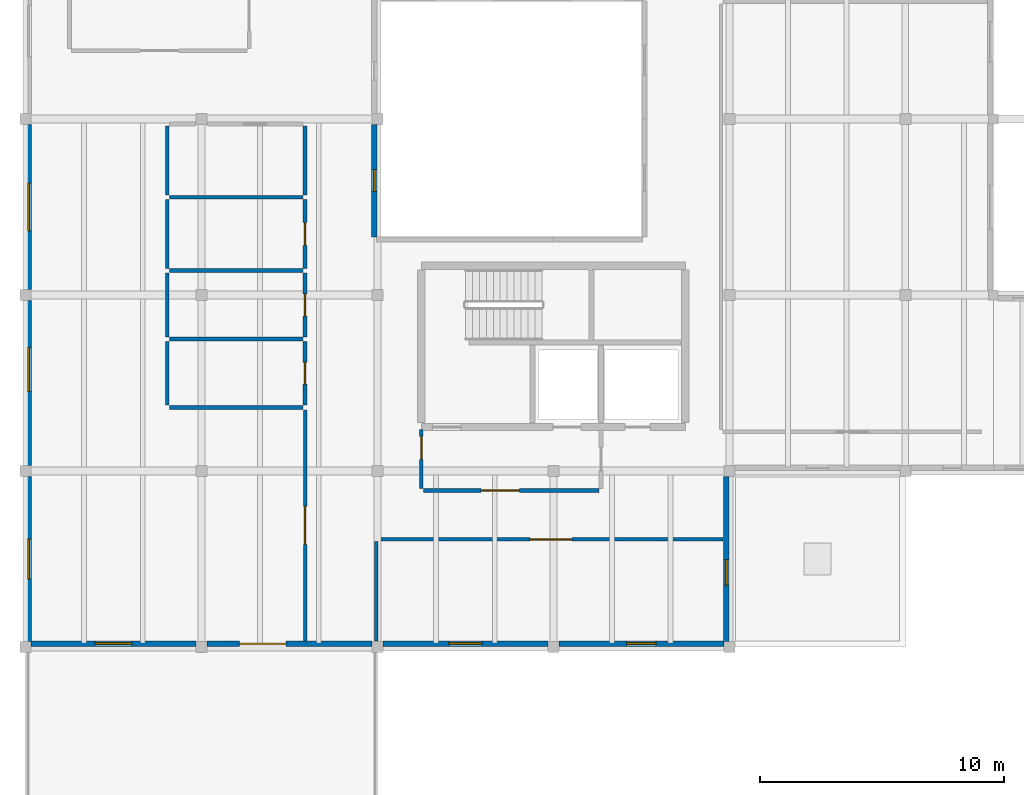
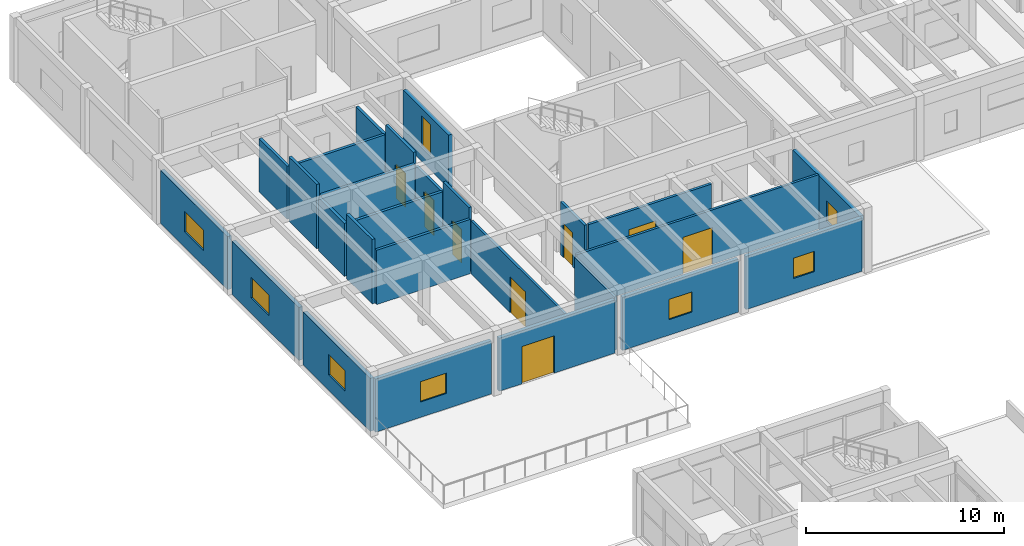
# One storey, part 56 of 68: 26 walls, 8 doors, 8 windows, 16 openings.
"""IFC4 building model written with IfcOpenShell, lengths in metres."""

import ifcopenshell
import ifcopenshell.guid

model = None  # the IFC model being written
_history = None  # IfcOwnerHistory: only IFC2X3 demands one
_inside = {}  # id of a spatial element -> (the spatial element, [elements in it])
_under = {}  # id of a project, library or spatial element -> (it, [spatial elements below it])
_declared = {}  # id of a project -> (the project, [libraries it declares])
_typed = {}  # id of a type object -> (the type object, [elements of that type])
_made_of = {}  # id of a material, layer set ... -> (it, [elements and type objects made of it])


def new_model(schema):
    """Start an empty IFC model of exactly this schema.

    Asked for "IFC4X3", IfcOpenShell would pick the latest addendum, in which some entities
    have other attributes; the version numbers below select the first issue.
    IFC2X3 requires an IfcOwnerHistory on every rooted entity: one is made here for all.
    """
    global model, _history
    if schema == "IFC4X3":
        model = ifcopenshell.file(schema_version=(4, 3, 0, 0))
    else:
        model = ifcopenshell.file(schema=schema)
    _inside.clear()
    _under.clear()
    _declared.clear()
    _typed.clear()
    _made_of.clear()
    _history = None
    if model.schema == "IFC2X3":
        org = make("IfcOrganization", Name="unknown")
        user = make(
            "IfcPersonAndOrganization",
            ThePerson=make("IfcPerson", FamilyName="unknown"),
            TheOrganization=org,
        )
        app = make(
            "IfcApplication",
            ApplicationDeveloper=org,
            Version="unknown",
            ApplicationFullName="unknown",
            ApplicationIdentifier="unknown",
        )
        _history = make(
            "IfcOwnerHistory",
            OwningUser=user,
            OwningApplication=app,
            ChangeAction="ADDED",
            CreationDate=0,
        )
    return model


def make(cls, **values):
    """One entity of the class cls with the attributes given. An attribute that is None is left unset."""
    return model.create_entity(
        cls, **{name: value for name, value in values.items() if value is not None}
    )


def rooted(cls, **values):
    """An entity with a GlobalId (a new one), such as an element, a storey or a relation."""
    return make(cls, GlobalId=ifcopenshell.guid.new(), OwnerHistory=_history, **values)


def si_unit(unit_type, name, prefix=None):
    """IfcSIUnit, for example si_unit("LENGTHUNIT", "METRE", prefix="MILLI")."""
    return make("IfcSIUnit", UnitType=unit_type, Prefix=prefix, Name=name)


def assignment(units):
    """IfcUnitAssignment: the units of a project."""
    return None if units is None else make("IfcUnitAssignment", Units=units)


def point(xyz):
    """IfcCartesianPoint."""
    return None if xyz is None else make("IfcCartesianPoint", Coordinates=xyz)


def direction(xyz):
    """IfcDirection."""
    return None if xyz is None else make("IfcDirection", DirectionRatios=xyz)


def frame(location, z_axis=None, x_axis=None):
    """IfcAxis2Placement3D, a coordinate frame: its origin and axes. An axis left out is left unset."""
    return make(
        "IfcAxis2Placement3D",
        Location=point(location),
        Axis=direction(z_axis),
        RefDirection=direction(x_axis),
    )


def frame_2d(location, x_axis=None):
    """IfcAxis2Placement2D, a coordinate frame in the plane: its origin and x axis."""
    return make(
        "IfcAxis2Placement2D", Location=point(location), RefDirection=direction(x_axis)
    )


def origin():
    """The frame at (0, 0, 0) with its axes left unset."""
    return frame((0.0, 0.0, 0.0))


def place(relative_to, where):
    """IfcLocalPlacement: puts the frame where relative to a parent placement (None: the world)."""
    return make(
        "IfcLocalPlacement", PlacementRelTo=relative_to, RelativePlacement=where
    )


def context(
    kind, dimensions, precision=None, world=None, true_north=None, identifier=None
):
    """IfcGeometricRepresentationContext, for example the 3D "Model" context."""
    return make(
        "IfcGeometricRepresentationContext",
        ContextIdentifier=identifier,
        ContextType=kind,
        CoordinateSpaceDimension=dimensions,
        Precision=precision,
        WorldCoordinateSystem=world,
        TrueNorth=true_north,
    )


def subcontext(parent, identifier, kind, view, scale=None):
    """IfcGeometricRepresentationSubContext, for example "Body" below "Model"."""
    return make(
        "IfcGeometricRepresentationSubContext",
        ContextIdentifier=identifier,
        ContextType=kind,
        ParentContext=parent,
        TargetScale=scale,
        TargetView=view,
    )


def project(units=None, contexts=None):
    """IfcProject with its units and contexts."""
    return rooted(
        "IfcProject",
        Name="project",
        RepresentationContexts=contexts,
        UnitsInContext=assignment(units),
    )


def spatial(cls, under=None, at=None, **own):
    """A site, building, storey or space (cls), placed at a placement, below another one or the project."""
    s = rooted(cls, ObjectPlacement=at, **own)
    if under is not None:
        _under.setdefault(under.id(), (under, []))[1].append(s)
    return s


def profile(cls, at=None, kind="AREA", **sizes):
    """A parametric profile (cls). Its sizes go by their IFC names, for example OverallWidth=200.0."""
    return make(cls, ProfileType=kind, Position=at, **sizes)


def rectangle(**sizes):
    """IfcRectangleProfileDef."""
    return profile("IfcRectangleProfileDef", **sizes)


def extrude(swept, where, along, depth):
    """IfcExtrudedAreaSolid: the profile swept, set in the frame where, extruded along a direction by depth."""
    return make(
        "IfcExtrudedAreaSolid",
        SweptArea=swept,
        Position=where,
        ExtrudedDirection=direction(along),
        Depth=depth,
    )


def shape(context_of_items, identifier, shape_type, items):
    """IfcShapeRepresentation: the items that make up one representation, for example the "Body"."""
    return make(
        "IfcShapeRepresentation",
        ContextOfItems=context_of_items,
        RepresentationIdentifier=identifier,
        RepresentationType=shape_type,
        Items=items,
    )


def material(Name=None, Category=None):
    """IfcMaterial."""
    return make("IfcMaterial", Name=Name, Category=Category)


def layer(
    of_material, thickness, ventilated=None, Name=None, Category=None, Priority=None
):
    """IfcMaterialLayer: one layer of a wall or slab, of a material (None: an air gap)."""
    return make(
        "IfcMaterialLayer",
        Material=of_material,
        LayerThickness=thickness,
        IsVentilated=ventilated,
        Name=Name,
        Category=Category,
        Priority=Priority,
    )


def layer_set(layers, Name=None):
    """IfcMaterialLayerSet."""
    return make("IfcMaterialLayerSet", MaterialLayers=layers, LayerSetName=Name)


def made_of(thing, what):
    """Note that an element or type object is made of a material, layer set ...; save() writes the relation."""
    if what is not None:
        _made_of.setdefault(what.id(), (what, []))[1].append(thing)
    return thing


def type_object(cls, material=None, **own):
    """A type object (cls), such as IfcWallType, which elements share."""
    return made_of(rooted(cls, **own), material)


def element(
    cls,
    number,
    at=None,
    inside=None,
    cuts=None,
    type_object=None,
    material=None,
    context=None,
    identifier="Body",
    shape_type=None,
    held_by="IfcProductDefinitionShape",
    body=None,
    shapes=None,
    **own,
):
    """One element of the class cls, such as IfcWall. Its Tag is "e" and its number.

    at: its placement. inside: the storey or other place that contains it. cuts: it is an
    opening in that element (IfcRelVoidsElement). A single representation is given by context,
    identifier, shape_type and body (its items); several are given by shapes. held_by: the class
    of the entity that holds the representations. save() writes the other relations.
    """
    e = rooted(cls, Tag="e%d" % number, ObjectPlacement=at, **own)
    if body is not None:
        shapes = [shape(context, identifier, shape_type, body)]
    if shapes is not None:
        e.Representation = make(held_by, Representations=shapes)
    if inside is not None:
        _inside.setdefault(inside.id(), (inside, []))[1].append(e)
    if cuts is not None:
        rooted(
            "IfcRelVoidsElement", RelatingBuildingElement=cuts, RelatedOpeningElement=e
        )
    if type_object is not None:
        _typed.setdefault(type_object.id(), (type_object, []))[1].append(e)
    return made_of(e, material)


def fill(opening, filler):
    """IfcRelFillsElement: the door or window that sits in an opening."""
    return rooted(
        "IfcRelFillsElement",
        RelatingOpeningElement=opening,
        RelatedBuildingElement=filler,
    )


def aggregate(whole, parts):
    """IfcRelAggregates: a whole, such as a stair, and the parts it consists of."""
    return rooted("IfcRelAggregates", RelatingObject=whole, RelatedObjects=parts)


def save(model, path):
    """Write the relations noted so far, then the file.

    IfcRelAggregates (storeys below a building ...), IfcRelContainedInSpatialStructure (elements
    in a storey), IfcRelDefinesByType, IfcRelAssociatesMaterial and IfcRelDeclares: one each for
    every whole, place, type object, material and project.
    """
    for whole, parts in _under.values():
        aggregate(whole, parts)
    for where, things in _inside.values():
        rooted(
            "IfcRelContainedInSpatialStructure",
            RelatedElements=things,
            RelatingStructure=where,
        )
    for kind, things in _typed.values():
        rooted("IfcRelDefinesByType", RelatedObjects=things, RelatingType=kind)
    for what, things in _made_of.values():
        rooted("IfcRelAssociatesMaterial", RelatedObjects=things, RelatingMaterial=what)
    for by, libraries in _declared.values():
        rooted("IfcRelDeclares", RelatingContext=by, RelatedDefinitions=libraries)
    model.write(path)


model = new_model("IFC4")

# Units and contexts
model_context = context("Model", 3, precision=1e-05, world=origin(), true_north=direction((0.0, 1.0)))
body_context = subcontext(model_context, "Body", "Model", "MODEL_VIEW")
ifc_project = project(units=[si_unit("LENGTHUNIT", "METRE"), si_unit("AREAUNIT", "SQUARE_METRE"), si_unit("VOLUMEUNIT", "CUBIC_METRE"), si_unit("PLANEANGLEUNIT", "RADIAN"), si_unit("MASSUNIT", "GRAM", prefix="KILO")], contexts=[model_context])

# Site, building, storey
site_placement = place(None, origin())
site = spatial("IfcSite", under=ifc_project, at=site_placement, CompositionType="ELEMENT")
building_placement = place(site_placement, origin())
building = spatial("IfcBuilding", under=site, at=building_placement, Name="Bramvelor Terrace Health Centre", CompositionType="ELEMENT")
storey_placement = place(building_placement, frame((0.0, 0.0, 9.300048828125)))
storey = spatial("IfcBuildingStorey", under=building, at=storey_placement, Name="L03", CompositionType="ELEMENT", Elevation=9.300048828125)

# Wall, opening, door
ifc_material_1 = material(Name="Fire-rated gypsum and mineral wool", Category="gypsum")
ifc_layer_1 = layer(ifc_material_1, 0.139892578125)
ifc_layer_set_1 = layer_set([ifc_layer_1], Name="Fire-rated gypsum and mineral wool")
wall_type_1 = type_object("IfcWallType", Name="WL-COR-140", PredefinedType="PARTITIONING", material=ifc_layer_set_1)
wall_1_placement = place(storey_placement, frame((11.43994140625, 88.89990234375, 0.0), z_axis=(0.0, 0.0, 1.0), x_axis=(0.0, -1.0, 0.0)))
wall_1 = element("IfcWall", 1, at=wall_1_placement, inside=storey, type_object=wall_type_1, Name="L03 Interior Partition 253", PredefinedType="PARTITIONING", context=body_context, shape_type="SweptSolid", body=[
    extrude(rectangle(XDim=9.449951171875, YDim=0.139892578125, at=frame_2d((4.72509765625, 0.0))), origin(), (0.0, 0.0, 1.0), 3.27001953125),
])
opening_1_placement = place(wall_1_placement, frame((3.945068359375, 0.0, 0.0)))
opening_1 = element("IfcOpeningElement", 2, at=opening_1_placement, cuts=wall_1, Name="Opening FD-03", PredefinedType="OPENING", context=body_context, shape_type="SweptSolid", body=[
    extrude(rectangle(XDim=1.56005859375, YDim=2.219970703125, at=frame_2d((0.780029296875, 1.10986328125))), frame((0.0, 0.079833984375, 0.0), z_axis=(0.0, -1.0, 0.0), x_axis=(1.0, 0.0, 0.0)), (0.0, 0.0, 1.0), 0.159912109375),
])
ifc_material_2 = material(Name="Fire-rated steel and vision panel", Category="steel")
door_type_1 = type_object("IfcDoorType", Name="DR-FD90-156", OperationType="DOUBLE_DOOR_SINGLE_SWING", PredefinedType="DOOR", material=ifc_material_2)
door_1_placement = place(opening_1_placement, origin())
door_1 = element("IfcDoor", 3, at=door_1_placement, inside=storey, type_object=door_type_1, Name="L03 Women and Maternal Health Suite Fire Door", OperationType="DOUBLE_DOOR_SINGLE_SWING", OverallHeight=2.219970703125, OverallWidth=1.56005859375, PredefinedType="DOOR", context=body_context, shape_type="SweptSolid", body=[
    extrude(rectangle(XDim=1.56005859375, YDim=2.219970703125, at=frame_2d((0.780029296875, 1.10986328125))), frame((0.0, 0.02490234375, 0.0), z_axis=(0.0, -1.0, 0.0), x_axis=(1.0, 0.0, 0.0)), (0.0, 0.0, 1.0), 0.050048828125),
])
fill(opening_1, door_1)

# Wall
wall_2_placement = place(storey_placement, frame((14.35205078125, 79.449951171875, 0.0), z_axis=(0.0, 0.0, 1.0), x_axis=(0.0, 1.0, 0.0)))
element("IfcWall", 4, at=wall_2_placement, inside=storey, type_object=wall_type_1, Name="L03 Interior Partition 254", PredefinedType="PARTITIONING", context=body_context, shape_type="SweptSolid", body=[
    extrude(rectangle(XDim=4.05810546875, YDim=0.139892578125, at=frame_2d((2.029052734375, 0.0))), origin(), (0.0, 0.0, 1.0), 3.27001953125),
])

# Wall, opening, door
wall_3_placement = place(storey_placement, frame((14.44189453125, 83.597900390625, 0.0), z_axis=(0.0, 0.0, 1.0), x_axis=(1.0, 0.0, 0.0)))
wall_3 = element("IfcWall", 5, at=wall_3_placement, inside=storey, type_object=wall_type_1, Name="L03 Interior Partition 255", PredefinedType="PARTITIONING", context=body_context, shape_type="SweptSolid", body=[
    extrude(rectangle(XDim=14.108154296875, YDim=0.139892578125, at=frame_2d((7.05419921875, 0.0))), origin(), (0.0, 0.0, 1.0), 3.349853515625),
])
opening_2_placement = place(wall_3_placement, frame((6.194091796875, 0.0, 0.0)))
opening_2 = element("IfcOpeningElement", 6, at=opening_2_placement, cuts=wall_3, Name="Opening FD-04", PredefinedType="OPENING", context=body_context, shape_type="SweptSolid", body=[
    extrude(rectangle(XDim=1.719970703125, YDim=2.260009765625, at=frame_2d((0.85986328125, 1.1298828125))), frame((0.0, 0.079833984375, 0.0), z_axis=(0.0, -1.0, 0.0), x_axis=(1.0, 0.0, 0.0)), (0.0, 0.0, 1.0), 0.159912109375),
])
ifc_material_3 = material(Name="Fire-rated steel and vision panel", Category="steel")
door_type_2 = type_object("IfcDoorType", Name="DR-FD90-172", OperationType="DOUBLE_DOOR_SINGLE_SWING", PredefinedType="DOOR", material=ifc_material_3)
door_2_placement = place(opening_2_placement, origin())
door_2 = element("IfcDoor", 7, at=door_2_placement, inside=storey, type_object=door_type_2, Name="L03 Minor Gynaecology Procedure Suite Fire Door", OperationType="DOUBLE_DOOR_SINGLE_SWING", OverallHeight=2.260009765625, OverallWidth=1.719970703125, PredefinedType="DOOR", context=body_context, shape_type="SweptSolid", body=[
    extrude(rectangle(XDim=1.719970703125, YDim=2.260009765625, at=frame_2d((0.85986328125, 1.1298828125))), frame((0.0, 0.02490234375, 0.0), z_axis=(0.0, -1.0, 0.0), x_axis=(1.0, 0.0, 0.0)), (0.0, 0.0, 1.0), 0.050048828125),
])
fill(opening_2, door_2)

# Wall, opening, window
ifc_material_4 = material(Name="Cross-laminated timber C24", Category="wood")
ifc_layer_2 = layer(ifc_material_4, 0.219970703125)
ifc_layer_set_2 = layer_set([ifc_layer_2], Name="Cross-laminated timber C24")
wall_type_2 = type_object("IfcWallType", Name="WL-EXT-CLT220", PredefinedType="SOLIDWALL", material=ifc_layer_set_2)
wall_4_placement = place(storey_placement, frame((28.669921875, 86.179931640625, 0.0), z_axis=(0.0, 0.0, 1.0), x_axis=(0.0, -1.0, 0.0)))
wall_4 = element("IfcWall", 8, at=wall_4_placement, inside=storey, type_object=wall_type_2, Name="L03 Exterior Facade Wall 66", PredefinedType="SOLIDWALL", context=body_context, shape_type="SweptSolid", body=[
    extrude(rectangle(XDim=6.760009765625, YDim=0.219970703125, at=frame_2d((3.3798828125, 0.0))), origin(), (0.0, 0.0, 1.0), 3.27001953125),
])
opening_3_placement = place(wall_4_placement, frame((3.405029296875, 0.0, 0.949951171875)))
opening_3 = element("IfcOpeningElement", 9, at=opening_3_placement, cuts=wall_4, Name="Opening WN-27", PredefinedType="OPENING", context=body_context, shape_type="SweptSolid", body=[
    extrude(rectangle(XDim=1.050048828125, YDim=1.25, at=frame_2d((0.52490234375, 0.625))), frame((0.0, 0.119873046875, 0.0), z_axis=(0.0, -1.0, 0.0), x_axis=(1.0, 0.0, 0.0)), (0.0, 0.0, 1.0), 0.239990234375),
])
ifc_material_5 = material(Name="Double low-E laminated glass", Category="glass")
window_type_1 = type_object("IfcWindowType", Name="WIN-EXT-27", PartitioningType="SINGLE_PANEL", PredefinedType="WINDOW", material=ifc_material_5)
window_1_placement = place(opening_3_placement, origin())
window_1 = element("IfcWindow", 10, at=window_1_placement, inside=storey, type_object=window_type_1, Name="L03 Scheduled Clinical Window 147", OverallHeight=1.25, OverallWidth=1.050048828125, PartitioningType="SINGLE_PANEL", PredefinedType="WINDOW", context=body_context, shape_type="SweptSolid", body=[
    extrude(rectangle(XDim=1.050048828125, YDim=1.25, at=frame_2d((0.52490234375, 0.625))), frame((0.0, 0.030029296875, 0.0), z_axis=(0.0, -1.0, 0.0), x_axis=(1.0, 0.0, 0.0)), (0.0, 0.0, 1.0), 0.06005859375),
])
fill(opening_3, window_1)

wall_5_placement = place(storey_placement, frame((28.580078125, 79.330078125, 0.0), z_axis=(0.0, 0.0, 1.0), x_axis=(-1.0, 0.0, 0.0)))
wall_5 = element("IfcWall", 11, at=wall_5_placement, inside=storey, type_object=wall_type_2, Name="L03 Exterior Facade Wall 67", PredefinedType="SOLIDWALL", context=body_context, shape_type="SweptSolid", body=[
    extrude(rectangle(XDim=6.760009765625, YDim=0.219970703125, at=frame_2d((3.3798828125, 0.0))), origin(), (0.0, 0.0, 1.0), 3.27001953125),
])
opening_4_placement = place(wall_5_placement, frame((2.780029296875, 0.0, 0.949951171875)))
opening_4 = element("IfcOpeningElement", 12, at=opening_4_placement, cuts=wall_5, Name="Opening WN-28", PredefinedType="OPENING", context=body_context, shape_type="SweptSolid", body=[
    extrude(rectangle(XDim=1.199951171875, YDim=1.25, at=frame_2d((0.60009765625, 0.625))), frame((0.0, 0.119873046875, 0.0), z_axis=(0.0, -1.0, 0.0), x_axis=(1.0, 0.0, 0.0)), (0.0, 0.0, 1.0), 0.239990234375),
])
ifc_material_6 = material(Name="Double low-E laminated glass", Category="glass")
window_type_2 = type_object("IfcWindowType", Name="WIN-EXT-28", PartitioningType="SINGLE_PANEL", PredefinedType="WINDOW", material=ifc_material_6)
window_2_placement = place(opening_4_placement, origin())
window_2 = element("IfcWindow", 13, at=window_2_placement, inside=storey, type_object=window_type_2, Name="L03 Scheduled Clinical Window 148", OverallHeight=1.25, OverallWidth=1.199951171875, PartitioningType="SINGLE_PANEL", PredefinedType="WINDOW", context=body_context, shape_type="SweptSolid", body=[
    extrude(rectangle(XDim=1.199951171875, YDim=1.25, at=frame_2d((0.60009765625, 0.625))), frame((0.0, 0.030029296875, 0.0), z_axis=(0.0, -1.0, 0.0), x_axis=(1.0, 0.0, 0.0)), (0.0, 0.0, 1.0), 0.06005859375),
])
fill(opening_4, window_2)

wall_6_placement = place(storey_placement, frame((21.3798828125, 79.330078125, 0.0), z_axis=(0.0, 0.0, 1.0), x_axis=(-1.0, 0.0, 0.0)))
wall_6 = element("IfcWall", 14, at=wall_6_placement, inside=storey, type_object=wall_type_2, Name="L03 Exterior Facade Wall 68", PredefinedType="SOLIDWALL", context=body_context, shape_type="SweptSolid", body=[
    extrude(rectangle(XDim=6.759765625, YDim=0.219970703125, at=frame_2d((3.3798828125, 0.0))), origin(), (0.0, 0.0, 1.0), 3.27001953125),
])
opening_5_placement = place(wall_6_placement, frame((2.705078125, 0.0, 0.949951171875)))
opening_5 = element("IfcOpeningElement", 15, at=opening_5_placement, cuts=wall_6, Name="Opening WN-29", PredefinedType="OPENING", context=body_context, shape_type="SweptSolid", body=[
    extrude(rectangle(XDim=1.35009765625, YDim=1.25, at=frame_2d((0.675048828125, 0.625))), frame((0.0, 0.119873046875, 0.0), z_axis=(0.0, -1.0, 0.0), x_axis=(1.0, 0.0, 0.0)), (0.0, 0.0, 1.0), 0.239990234375),
])
ifc_material_7 = material(Name="Double low-E laminated glass", Category="glass")
window_type_3 = type_object("IfcWindowType", Name="WIN-EXT-29", PartitioningType="SINGLE_PANEL", PredefinedType="WINDOW", material=ifc_material_7)
window_3_placement = place(opening_5_placement, origin())
window_3 = element("IfcWindow", 16, at=window_3_placement, inside=storey, type_object=window_type_3, Name="L03 Scheduled Clinical Window 149", OverallHeight=1.25, OverallWidth=1.35009765625, PartitioningType="SINGLE_PANEL", PredefinedType="WINDOW", context=body_context, shape_type="SweptSolid", body=[
    extrude(rectangle(XDim=1.35009765625, YDim=1.25, at=frame_2d((0.675048828125, 0.625))), frame((0.0, 0.030029296875, 0.0), z_axis=(0.0, -1.0, 0.0), x_axis=(1.0, 0.0, 0.0)), (0.0, 0.0, 1.0), 0.06005859375),
])
fill(opening_5, window_3)

# Wall, opening, door
wall_7_placement = place(storey_placement, frame((14.179931640625, 79.330078125, 0.0), z_axis=(0.0, 0.0, 1.0), x_axis=(-1.0, 0.0, 0.0)))
wall_7 = element("IfcWall", 17, at=wall_7_placement, inside=storey, type_object=wall_type_2, Name="L03 Exterior Facade Wall 69", PredefinedType="SOLIDWALL", context=body_context, shape_type="SweptSolid", body=[
    extrude(rectangle(XDim=6.760009765625, YDim=0.219970703125, at=frame_2d((3.3798828125, 0.0))), origin(), (0.0, 0.0, 1.0), 3.27001953125),
])
opening_6_placement = place(wall_7_placement, frame((3.530029296875, 0.0, 0.0)))
opening_6 = element("IfcOpeningElement", 18, at=opening_6_placement, cuts=wall_7, Name="Opening ED-08", PredefinedType="OPENING", context=body_context, shape_type="SweptSolid", body=[
    extrude(rectangle(XDim=1.89990234375, YDim=2.300048828125, at=frame_2d((0.949951171875, 1.14990234375))), frame((0.0, 0.119873046875, 0.0), z_axis=(0.0, -1.0, 0.0), x_axis=(1.0, 0.0, 0.0)), (0.0, 0.0, 1.0), 0.239990234375),
])
ifc_material_8 = material(Name="Anodized aluminium and laminated glass", Category="aluminium")
door_type_3 = type_object("IfcDoorType", Name="DR-EXT-TER-190", OperationType="DOUBLE_DOOR_SINGLE_SWING", PredefinedType="DOOR", material=ifc_material_8)
door_3_placement = place(opening_6_placement, origin())
door_3 = element("IfcDoor", 19, at=door_3_placement, inside=storey, type_object=door_type_3, Name="L03 Exterior Door 13", OperationType="DOUBLE_DOOR_SINGLE_SWING", OverallHeight=2.300048828125, OverallWidth=1.89990234375, PredefinedType="DOOR", context=body_context, shape_type="SweptSolid", body=[
    extrude(rectangle(XDim=1.89990234375, YDim=2.300048828125, at=frame_2d((0.949951171875, 1.14990234375))), frame((0.0, 0.02490234375, 0.0), z_axis=(0.0, -1.0, 0.0), x_axis=(1.0, 0.0, 0.0)), (0.0, 0.0, 1.0), 0.050048828125),
])
fill(opening_6, door_3)

# Wall, opening, window
wall_8_placement = place(storey_placement, frame((6.97998046875, 79.330078125, 0.0), z_axis=(0.0, 0.0, 1.0), x_axis=(-1.0, 0.0, 0.0)))
wall_8 = element("IfcWall", 20, at=wall_8_placement, inside=storey, type_object=wall_type_2, Name="L03 Exterior Facade Wall 70", PredefinedType="SOLIDWALL", context=body_context, shape_type="SweptSolid", body=[
    extrude(rectangle(XDim=6.760009765625, YDim=0.219970703125, at=frame_2d((3.3798828125, 0.0))), origin(), (0.0, 0.0, 1.0), 3.27001953125),
])
opening_7_placement = place(wall_8_placement, frame((2.6298828125, 0.0, 0.949951171875)))
opening_7 = element("IfcOpeningElement", 21, at=opening_7_placement, cuts=wall_8, Name="Opening WN-30", PredefinedType="OPENING", context=body_context, shape_type="SweptSolid", body=[
    extrude(rectangle(XDim=1.5, YDim=1.25, at=frame_2d((0.75, 0.625))), frame((0.0, 0.119873046875, 0.0), z_axis=(0.0, -1.0, 0.0), x_axis=(1.0, 0.0, 0.0)), (0.0, 0.0, 1.0), 0.239990234375),
])
ifc_material_9 = material(Name="Double low-E laminated glass", Category="glass")
window_type_4 = type_object("IfcWindowType", Name="WIN-EXT-30", PartitioningType="SINGLE_PANEL", PredefinedType="WINDOW", material=ifc_material_9)
window_4_placement = place(opening_7_placement, origin())
window_4 = element("IfcWindow", 22, at=window_4_placement, inside=storey, type_object=window_type_4, Name="L03 Scheduled Clinical Window 150", OverallHeight=1.25, OverallWidth=1.5, PartitioningType="SINGLE_PANEL", PredefinedType="WINDOW", context=body_context, shape_type="SweptSolid", body=[
    extrude(rectangle(XDim=1.5, YDim=1.25, at=frame_2d((0.75, 0.625))), frame((0.0, 0.030029296875, 0.0), z_axis=(0.0, -1.0, 0.0), x_axis=(1.0, 0.0, 0.0)), (0.0, 0.0, 1.0), 0.06005859375),
])
fill(opening_7, window_4)

wall_9_placement = place(storey_placement, frame((0.1298828125, 79.419921875, 0.0), z_axis=(0.0, 0.0, 1.0), x_axis=(0.0, 1.0, 0.0)))
wall_9 = element("IfcWall", 23, at=wall_9_placement, inside=storey, type_object=wall_type_2, Name="L03 Exterior Facade Wall 71", PredefinedType="SOLIDWALL", context=body_context, shape_type="SweptSolid", body=[
    extrude(rectangle(XDim=6.760009765625, YDim=0.219970703125, at=frame_2d((3.3798828125, 0.0))), origin(), (0.0, 0.0, 1.0), 3.27001953125),
])
opening_8_placement = place(wall_9_placement, frame((2.554931640625, 0.0, 0.949951171875)))
opening_8 = element("IfcOpeningElement", 24, at=opening_8_placement, cuts=wall_9, Name="Opening WN-31", PredefinedType="OPENING", context=body_context, shape_type="SweptSolid", body=[
    extrude(rectangle(XDim=1.64990234375, YDim=1.25, at=frame_2d((0.824951171875, 0.625))), frame((0.0, 0.119873046875, 0.0), z_axis=(0.0, -1.0, 0.0), x_axis=(1.0, 0.0, 0.0)), (0.0, 0.0, 1.0), 0.239990234375),
])
ifc_material_10 = material(Name="Double low-E laminated glass", Category="glass")
window_type_5 = type_object("IfcWindowType", Name="WIN-EXT-31", PartitioningType="SINGLE_PANEL", PredefinedType="WINDOW", material=ifc_material_10)
window_5_placement = place(opening_8_placement, origin())
window_5 = element("IfcWindow", 25, at=window_5_placement, inside=storey, type_object=window_type_5, Name="L03 Scheduled Clinical Window 151", OverallHeight=1.25, OverallWidth=1.64990234375, PartitioningType="SINGLE_PANEL", PredefinedType="WINDOW", context=body_context, shape_type="SweptSolid", body=[
    extrude(rectangle(XDim=1.64990234375, YDim=1.25, at=frame_2d((0.824951171875, 0.625))), frame((0.0, 0.030029296875, 0.0), z_axis=(0.0, -1.0, 0.0), x_axis=(1.0, 0.0, 0.0)), (0.0, 0.0, 1.0), 0.06005859375),
])
fill(opening_8, window_5)

wall_10_placement = place(storey_placement, frame((0.1298828125, 86.6201171875, 0.0), z_axis=(0.0, 0.0, 1.0), x_axis=(0.0, 1.0, 0.0)))
wall_10 = element("IfcWall", 26, at=wall_10_placement, inside=storey, type_object=wall_type_2, Name="L03 Exterior Facade Wall 72", PredefinedType="SOLIDWALL", context=body_context, shape_type="SweptSolid", body=[
    extrude(rectangle(XDim=6.759765625, YDim=0.219970703125, at=frame_2d((3.3798828125, 0.0))), origin(), (0.0, 0.0, 1.0), 3.27001953125),
])
opening_9_placement = place(wall_10_placement, frame((3.030029296875, 0.0, 0.949951171875)))
opening_9 = element("IfcOpeningElement", 27, at=opening_9_placement, cuts=wall_10, Name="Opening WN-32", PredefinedType="OPENING", context=body_context, shape_type="SweptSolid", body=[
    extrude(rectangle(XDim=1.800048828125, YDim=1.25, at=frame_2d((0.89990234375, 0.625))), frame((0.0, 0.119873046875, 0.0), z_axis=(0.0, -1.0, 0.0), x_axis=(1.0, 0.0, 0.0)), (0.0, 0.0, 1.0), 0.239990234375),
])
ifc_material_11 = material(Name="Double low-E laminated glass", Category="glass")
window_type_6 = type_object("IfcWindowType", Name="WIN-EXT-32", PartitioningType="SINGLE_PANEL", PredefinedType="WINDOW", material=ifc_material_11)
window_6_placement = place(opening_9_placement, origin())
window_6 = element("IfcWindow", 28, at=window_6_placement, inside=storey, type_object=window_type_6, Name="L03 Scheduled Clinical Window 152", OverallHeight=1.25, OverallWidth=1.800048828125, PartitioningType="SINGLE_PANEL", PredefinedType="WINDOW", context=body_context, shape_type="SweptSolid", body=[
    extrude(rectangle(XDim=1.800048828125, YDim=1.25, at=frame_2d((0.89990234375, 0.625))), frame((0.0, 0.030029296875, 0.0), z_axis=(0.0, -1.0, 0.0), x_axis=(1.0, 0.0, 0.0)), (0.0, 0.0, 1.0), 0.06005859375),
])
fill(opening_9, window_6)

wall_11_placement = place(storey_placement, frame((0.1298828125, 93.820068359375, 0.0), z_axis=(0.0, 0.0, 1.0), x_axis=(0.0, 1.0, 0.0)))
wall_11 = element("IfcWall", 29, at=wall_11_placement, inside=storey, type_object=wall_type_2, Name="L03 Exterior Facade Wall 73", PredefinedType="SOLIDWALL", context=body_context, shape_type="SweptSolid", body=[
    extrude(rectangle(XDim=6.760009765625, YDim=0.219970703125, at=frame_2d((3.3798828125, 0.0))), origin(), (0.0, 0.0, 1.0), 3.27001953125),
])
opening_10_placement = place(wall_11_placement, frame((2.405029296875, 0.0, 0.949951171875)))
opening_10 = element("IfcOpeningElement", 30, at=opening_10_placement, cuts=wall_11, Name="Opening WN-33", PredefinedType="OPENING", context=body_context, shape_type="SweptSolid", body=[
    extrude(rectangle(XDim=1.949951171875, YDim=1.25, at=frame_2d((0.97509765625, 0.625))), frame((0.0, 0.119873046875, 0.0), z_axis=(0.0, -1.0, 0.0), x_axis=(1.0, 0.0, 0.0)), (0.0, 0.0, 1.0), 0.239990234375),
])
ifc_material_12 = material(Name="Double low-E laminated glass", Category="glass")
window_type_7 = type_object("IfcWindowType", Name="WIN-EXT-33", PartitioningType="SINGLE_PANEL", PredefinedType="WINDOW", material=ifc_material_12)
window_7_placement = place(opening_10_placement, origin())
window_7 = element("IfcWindow", 31, at=window_7_placement, inside=storey, type_object=window_type_7, Name="L03 Scheduled Clinical Window 153", OverallHeight=1.25, OverallWidth=1.949951171875, PartitioningType="SINGLE_PANEL", PredefinedType="WINDOW", context=body_context, shape_type="SweptSolid", body=[
    extrude(rectangle(XDim=1.949951171875, YDim=1.25, at=frame_2d((0.97509765625, 0.625))), frame((0.0, 0.030029296875, 0.0), z_axis=(0.0, -1.0, 0.0), x_axis=(1.0, 0.0, 0.0)), (0.0, 0.0, 1.0), 0.06005859375),
])
fill(opening_10, window_7)

wall_12_placement = place(storey_placement, frame((14.27001953125, 100.580078125, 0.0), z_axis=(0.0, 0.0, 1.0), x_axis=(0.0, -1.0, 0.0)))
wall_12 = element("IfcWall", 32, at=wall_12_placement, inside=storey, type_object=wall_type_2, Name="L03 Exterior Facade Wall 90", PredefinedType="SOLIDWALL", context=body_context, shape_type="SweptSolid", body=[
    extrude(rectangle(XDim=4.60009765625, YDim=0.219970703125, at=frame_2d((2.300048828125, 0.0))), origin(), (0.0, 0.0, 1.0), 3.27001953125),
])
opening_11_placement = place(wall_12_placement, frame((1.85009765625, 0.0, 0.949951171875)))
opening_11 = element("IfcOpeningElement", 33, at=opening_11_placement, cuts=wall_12, Name="Opening WN-50", PredefinedType="OPENING", context=body_context, shape_type="SweptSolid", body=[
    extrude(rectangle(XDim=0.89990234375, YDim=1.85009765625, at=frame_2d((0.449951171875, 0.925048828125))), frame((0.0, 0.119873046875, 0.0), z_axis=(0.0, -1.0, 0.0), x_axis=(1.0, 0.0, 0.0)), (0.0, 0.0, 1.0), 0.239990234375),
])
ifc_material_13 = material(Name="Double low-E laminated glass", Category="glass")
window_type_8 = type_object("IfcWindowType", Name="WIN-EXT-50", PartitioningType="SINGLE_PANEL", PredefinedType="WINDOW", material=ifc_material_13)
window_8_placement = place(opening_11_placement, origin())
window_8 = element("IfcWindow", 34, at=window_8_placement, inside=storey, type_object=window_type_8, Name="L03 Scheduled Clinical Window 170", OverallHeight=1.85009765625, OverallWidth=0.89990234375, PartitioningType="SINGLE_PANEL", PredefinedType="WINDOW", context=body_context, shape_type="SweptSolid", body=[
    extrude(rectangle(XDim=0.89990234375, YDim=1.85009765625, at=frame_2d((0.449951171875, 0.925048828125))), frame((0.0, 0.030029296875, 0.0), z_axis=(0.0, -1.0, 0.0), x_axis=(1.0, 0.0, 0.0)), (0.0, 0.0, 1.0), 0.06005859375),
])
fill(opening_11, window_8)

# Wall, opening, door
ifc_material_14 = material(Name="Fire-rated gypsum and mineral wool", Category="gypsum")
ifc_layer_3 = layer(ifc_material_14, 0.14990234375)
ifc_layer_set_3 = layer_set([ifc_layer_3], Name="Fire-rated gypsum and mineral wool")
wall_type_3 = type_object("IfcWallType", Name="WL-FIR-150", PredefinedType="PARTITIONING", material=ifc_layer_set_3)
wall_13_placement = place(storey_placement, frame((16.199951171875, 85.68994140625, 0.0), z_axis=(0.0, 0.0, 1.0), x_axis=(0.0, 1.0, 0.0)))
wall_13 = element("IfcWall", 35, at=wall_13_placement, inside=storey, type_object=wall_type_3, Name="L03 Interior Partition 224", PredefinedType="PARTITIONING", context=body_context, shape_type="SweptSolid", body=[
    extrude(rectangle(XDim=2.4150390625, YDim=0.14990234375, at=frame_2d((1.20751953125, 0.0))), origin(), (0.0, 0.0, 1.0), 3.27001953125),
])
opening_12_placement = place(wall_13_placement, frame((1.1875, 0.0, 0.0)))
opening_12 = element("IfcOpeningElement", 36, at=opening_12_placement, cuts=wall_13, Name="Opening FD-08", PredefinedType="OPENING", context=body_context, shape_type="SweptSolid", body=[
    extrude(rectangle(XDim=0.93994140625, YDim=2.10009765625, at=frame_2d((0.469970703125, 1.050048828125))), frame((0.0, 0.0849609375, 0.0), z_axis=(0.0, -1.0, 0.0), x_axis=(1.0, 0.0, 0.0)), (0.0, 0.0, 1.0), 0.169921875),
])
ifc_material_15 = material(Name="Fire-rated steel and vision panel", Category="steel")
door_type_4 = type_object("IfcDoorType", Name="DR-FD60-094", OperationType="NOTDEFINED", PredefinedType="DOOR", material=ifc_material_15)
door_4_placement = place(opening_12_placement, origin())
door_4 = element("IfcDoor", 37, at=door_4_placement, inside=storey, type_object=door_type_4, Name="L03 Fire Compartment Lobby Door 89", OperationType="SINGLE_SWING_LEFT", OverallHeight=2.10009765625, OverallWidth=0.93994140625, PredefinedType="DOOR", context=body_context, shape_type="SweptSolid", body=[
    extrude(rectangle(XDim=0.93994140625, YDim=2.10009765625, at=frame_2d((0.469970703125, 1.050048828125))), frame((0.0, 0.02490234375, 0.0), z_axis=(0.0, -1.0, 0.0), x_axis=(1.0, 0.0, 0.0)), (0.0, 0.0, 1.0), 0.050048828125),
])
fill(opening_12, door_4)

wall_14_placement = place(storey_placement, frame((23.4599609375, 85.60009765625, 0.0), z_axis=(0.0, 0.0, 1.0), x_axis=(-1.0, 0.0, 0.0)))
wall_14 = element("IfcWall", 38, at=wall_14_placement, inside=storey, type_object=wall_type_3, Name="L03 Interior Partition 226", PredefinedType="PARTITIONING", context=body_context, shape_type="SweptSolid", body=[
    extrude(rectangle(XDim=7.169921875, YDim=0.14990234375, at=frame_2d((3.5849609375, 0.0))), origin(), (0.0, 0.0, 1.0), 3.349853515625),
])
opening_13_placement = place(wall_14_placement, frame((3.2548828125, 0.0, 0.0)))
opening_13 = element("IfcOpeningElement", 39, at=opening_13_placement, cuts=wall_14, Name="Opening FD-03", PredefinedType="OPENING", context=body_context, shape_type="SweptSolid", body=[
    extrude(rectangle(XDim=1.56005859375, YDim=2.219970703125, at=frame_2d((0.780029296875, 1.10986328125))), frame((0.0, 0.0849609375, 0.0), z_axis=(0.0, -1.0, 0.0), x_axis=(1.0, 0.0, 0.0)), (0.0, 0.0, 1.0), 0.169921875),
])
door_5_placement = place(opening_13_placement, origin())
door_5 = element("IfcDoor", 40, at=door_5_placement, inside=storey, type_object=door_type_1, Name="L03 Fire Compartment Lobby Door 91", OperationType="DOUBLE_DOOR_SINGLE_SWING", OverallHeight=2.219970703125, OverallWidth=1.56005859375, PredefinedType="DOOR", context=body_context, shape_type="SweptSolid", body=[
    extrude(rectangle(XDim=1.56005859375, YDim=2.219970703125, at=frame_2d((0.780029296875, 1.10986328125))), frame((0.0, 0.02490234375, 0.0), z_axis=(0.0, -1.0, 0.0), x_axis=(1.0, 0.0, 0.0)), (0.0, 0.0, 1.0), 0.050048828125),
])
fill(opening_13, door_5)

# Walls
ifc_material_16 = material(Name="Moisture-resistant service chase board", Category="gypsum")
ifc_layer_4 = layer(ifc_material_16, 0.159912109375)
ifc_layer_set_4 = layer_set([ifc_layer_4], Name="Moisture-resistant service chase board")
wall_type_4 = type_object("IfcWallType", Name="WL-PLM-160", PredefinedType="PLUMBINGWALL", material=ifc_layer_set_4)
wall_15_placement = place(storey_placement, frame((11.43994140625, 100.508056640625, 0.0), z_axis=(0.0, 0.0, 1.0), x_axis=(0.0, -1.0, 0.0)))
element("IfcWall", 41, at=wall_15_placement, inside=storey, type_object=wall_type_4, Name="L03 Interior Partition 232", PredefinedType="PLUMBINGWALL", context=body_context, shape_type="SweptSolid", body=[
    extrude(rectangle(XDim=2.818115234375, YDim=0.159912109375, at=frame_2d((1.4091796875, 0.0))), origin(), (0.0, 0.0, 1.0), 3.27001953125),
])
wall_16_placement = place(storey_placement, frame((11.35009765625, 97.60009765625, 0.0), z_axis=(0.0, 0.0, 1.0), x_axis=(-1.0, 0.0, 0.0)))
element("IfcWall", 42, at=wall_16_placement, inside=storey, type_object=wall_type_4, Name="L03 Interior Partition 233", PredefinedType="PLUMBINGWALL", context=body_context, shape_type="SweptSolid", body=[
    extrude(rectangle(XDim=5.460205078125, YDim=0.159912109375, at=frame_2d((2.72998046875, 0.0))), origin(), (0.0, 0.0, 1.0), 3.349853515625),
])
wall_17_placement = place(storey_placement, frame((5.800048828125, 97.68994140625, 0.0), z_axis=(0.0, 0.0, 1.0), x_axis=(0.0, 1.0, 0.0)))
element("IfcWall", 43, at=wall_17_placement, inside=storey, type_object=wall_type_4, Name="L03 Interior Partition 234", PredefinedType="PLUMBINGWALL", context=body_context, shape_type="SweptSolid", body=[
    extrude(rectangle(XDim=2.818115234375, YDim=0.159912109375, at=frame_2d((1.4091796875, 0.0))), origin(), (0.0, 0.0, 1.0), 3.27001953125),
])

# Wall, opening, door
wall_18_placement = place(storey_placement, frame((11.43994140625, 97.5, 0.0), z_axis=(0.0, 0.0, 1.0), x_axis=(0.0, -1.0, 0.0)))
wall_18 = element("IfcWall", 44, at=wall_18_placement, inside=storey, type_object=wall_type_4, Name="L03 Interior Partition 235", PredefinedType="PLUMBINGWALL", context=body_context, shape_type="SweptSolid", body=[
    extrude(rectangle(XDim=2.81005859375, YDim=0.159912109375, at=frame_2d((1.405029296875, 0.0))), origin(), (0.0, 0.0, 1.0), 3.969970703125),
])
opening_14_placement = place(wall_18_placement, frame((0.93994140625, 0.0, 0.0)))
opening_14 = element("IfcOpeningElement", 45, at=opening_14_placement, cuts=wall_18, Name="Opening ID-C12", PredefinedType="OPENING", context=body_context, shape_type="SweptSolid", body=[
    extrude(rectangle(XDim=0.929931640625, YDim=2.10009765625, at=frame_2d((0.46484375, 1.050048828125))), frame((0.0, 0.08984375, 0.0), z_axis=(0.0, -1.0, 0.0), x_axis=(1.0, 0.0, 0.0)), (0.0, 0.0, 1.0), 0.179931640625),
])
ifc_material_17 = material(Name="Solid-core acoustic timber laminate", Category="wood")
door_type_5 = type_object("IfcDoorType", Name="DR-CLN-12", OperationType="NOTDEFINED", PredefinedType="DOOR", material=ifc_material_17)
door_6_placement = place(opening_14_placement, origin())
door_6 = element("IfcDoor", 46, at=door_6_placement, inside=storey, type_object=door_type_5, Name="L03 Accessible Female WC Clinical Door", OperationType="SINGLE_SWING_LEFT", OverallHeight=2.10009765625, OverallWidth=0.929931640625, PredefinedType="DOOR", context=body_context, shape_type="SweptSolid", body=[
    extrude(rectangle(XDim=0.929931640625, YDim=2.10009765625, at=frame_2d((0.46484375, 1.050048828125))), frame((0.0, 0.02490234375, 0.0), z_axis=(0.0, -1.0, 0.0), x_axis=(1.0, 0.0, 0.0)), (0.0, 0.0, 1.0), 0.050048828125),
])
fill(opening_14, door_6)

# Walls
wall_19_placement = place(storey_placement, frame((11.35009765625, 94.60009765625, 0.0), z_axis=(0.0, 0.0, 1.0), x_axis=(-1.0, 0.0, 0.0)))
element("IfcWall", 47, at=wall_19_placement, inside=storey, type_object=wall_type_4, Name="L03 Interior Partition 236", PredefinedType="PLUMBINGWALL", context=body_context, shape_type="SweptSolid", body=[
    extrude(rectangle(XDim=5.460205078125, YDim=0.159912109375, at=frame_2d((2.72998046875, 0.0))), origin(), (0.0, 0.0, 1.0), 3.349853515625),
])
wall_20_placement = place(storey_placement, frame((5.800048828125, 94.68994140625, 0.0), z_axis=(0.0, 0.0, 1.0), x_axis=(0.0, 1.0, 0.0)))
element("IfcWall", 48, at=wall_20_placement, inside=storey, type_object=wall_type_4, Name="L03 Interior Partition 237", PredefinedType="PLUMBINGWALL", context=body_context, shape_type="SweptSolid", body=[
    extrude(rectangle(XDim=2.81005859375, YDim=0.159912109375, at=frame_2d((1.405029296875, 0.0))), origin(), (0.0, 0.0, 1.0), 3.969970703125),
])

# Wall, opening, door
wall_21_placement = place(storey_placement, frame((11.43994140625, 94.5, 0.0), z_axis=(0.0, 0.0, 1.0), x_axis=(0.0, -1.0, 0.0)))
wall_21 = element("IfcWall", 49, at=wall_21_placement, inside=storey, type_object=wall_type_4, Name="L03 Interior Partition 238", PredefinedType="PLUMBINGWALL", context=body_context, shape_type="SweptSolid", body=[
    extrude(rectangle(XDim=2.610107421875, YDim=0.159912109375, at=frame_2d((1.30517578125, 0.0))), origin(), (0.0, 0.0, 1.0), 3.27001953125),
])
opening_15_placement = place(wall_21_placement, frame((0.85009765625, 0.0, 0.0)))
opening_15 = element("IfcOpeningElement", 50, at=opening_15_placement, cuts=wall_21, Name="Opening ID-C13", PredefinedType="OPENING", context=body_context, shape_type="SweptSolid", body=[
    extrude(rectangle(XDim=0.909912109375, YDim=2.179931640625, at=frame_2d((0.455078125, 1.08984375))), frame((0.0, 0.08984375, 0.0), z_axis=(0.0, -1.0, 0.0), x_axis=(1.0, 0.0, 0.0)), (0.0, 0.0, 1.0), 0.179931640625),
])
ifc_material_18 = material(Name="Solid-core acoustic timber laminate", Category="wood")
door_type_6 = type_object("IfcDoorType", Name="DR-CLN-13", OperationType="NOTDEFINED", PredefinedType="DOOR", material=ifc_material_18)
door_7_placement = place(opening_15_placement, origin())
door_7 = element("IfcDoor", 51, at=door_7_placement, inside=storey, type_object=door_type_6, Name="L03 Public Male WC Clinical Door", OperationType="SINGLE_SWING_RIGHT", OverallHeight=2.179931640625, OverallWidth=0.909912109375, PredefinedType="DOOR", context=body_context, shape_type="SweptSolid", body=[
    extrude(rectangle(XDim=0.909912109375, YDim=2.179931640625, at=frame_2d((0.455078125, 1.08984375))), frame((0.0, 0.02490234375, 0.0), z_axis=(0.0, -1.0, 0.0), x_axis=(1.0, 0.0, 0.0)), (0.0, 0.0, 1.0), 0.050048828125),
])
fill(opening_15, door_7)

# Walls
wall_22_placement = place(storey_placement, frame((11.35009765625, 91.800048828125, 0.0), z_axis=(0.0, 0.0, 1.0), x_axis=(-1.0, 0.0, 0.0)))
element("IfcWall", 52, at=wall_22_placement, inside=storey, type_object=wall_type_4, Name="L03 Interior Partition 239", PredefinedType="PLUMBINGWALL", context=body_context, shape_type="SweptSolid", body=[
    extrude(rectangle(XDim=5.460205078125, YDim=0.159912109375, at=frame_2d((2.72998046875, 0.0))), origin(), (0.0, 0.0, 1.0), 3.349853515625),
])
wall_23_placement = place(storey_placement, frame((5.800048828125, 91.889892578125, 0.0), z_axis=(0.0, 0.0, 1.0), x_axis=(0.0, 1.0, 0.0)))
element("IfcWall", 53, at=wall_23_placement, inside=storey, type_object=wall_type_4, Name="L03 Interior Partition 240", PredefinedType="PLUMBINGWALL", context=body_context, shape_type="SweptSolid", body=[
    extrude(rectangle(XDim=2.610107421875, YDim=0.159912109375, at=frame_2d((1.30517578125, 0.0))), origin(), (0.0, 0.0, 1.0), 3.27001953125),
])

# Wall, opening, door
wall_24_placement = place(storey_placement, frame((11.43994140625, 91.699951171875, 0.0), z_axis=(0.0, 0.0, 1.0), x_axis=(0.0, -1.0, 0.0)))
wall_24 = element("IfcWall", 54, at=wall_24_placement, inside=storey, type_object=wall_type_4, Name="L03 Interior Partition 241", PredefinedType="PLUMBINGWALL", context=body_context, shape_type="SweptSolid", body=[
    extrude(rectangle(XDim=2.60986328125, YDim=0.159912109375, at=frame_2d((1.304931640625, 0.0))), origin(), (0.0, 0.0, 1.0), 3.969970703125),
])
opening_16_placement = place(wall_24_placement, frame((0.860107421875, 0.0, 0.0)))
opening_16 = element("IfcOpeningElement", 55, at=opening_16_placement, cuts=wall_24, Name="Opening ID-C14", PredefinedType="OPENING", context=body_context, shape_type="SweptSolid", body=[
    extrude(rectangle(XDim=0.889892578125, YDim=2.080078125, at=frame_2d((0.44482421875, 1.0400390625))), frame((0.0, 0.08984375, 0.0), z_axis=(0.0, -1.0, 0.0), x_axis=(1.0, 0.0, 0.0)), (0.0, 0.0, 1.0), 0.179931640625),
])
ifc_material_19 = material(Name="Solid-core acoustic timber laminate", Category="wood")
door_type_7 = type_object("IfcDoorType", Name="DR-CLN-14", OperationType="NOTDEFINED", PredefinedType="DOOR", material=ifc_material_19)
door_8_placement = place(opening_16_placement, origin())
door_8 = element("IfcDoor", 56, at=door_8_placement, inside=storey, type_object=door_type_7, Name="L03 Public Female WC Clinical Door", OperationType="SINGLE_SWING_LEFT", OverallHeight=2.080078125, OverallWidth=0.889892578125, PredefinedType="DOOR", context=body_context, shape_type="SweptSolid", body=[
    extrude(rectangle(XDim=0.889892578125, YDim=2.080078125, at=frame_2d((0.44482421875, 1.0400390625))), frame((0.0, 0.02490234375, 0.0), z_axis=(0.0, -1.0, 0.0), x_axis=(1.0, 0.0, 0.0)), (0.0, 0.0, 1.0), 0.050048828125),
])
fill(opening_16, door_8)

# Walls
wall_25_placement = place(storey_placement, frame((11.35009765625, 89.0, 0.0), z_axis=(0.0, 0.0, 1.0), x_axis=(-1.0, 0.0, 0.0)))
element("IfcWall", 57, at=wall_25_placement, inside=storey, type_object=wall_type_4, Name="L03 Interior Partition 242", PredefinedType="PLUMBINGWALL", context=body_context, shape_type="SweptSolid", body=[
    extrude(rectangle(XDim=5.460205078125, YDim=0.159912109375, at=frame_2d((2.72998046875, 0.0))), origin(), (0.0, 0.0, 1.0), 3.349853515625),
])
wall_26_placement = place(storey_placement, frame((5.800048828125, 89.090087890625, 0.0), z_axis=(0.0, 0.0, 1.0), x_axis=(0.0, 1.0, 0.0)))
element("IfcWall", 58, at=wall_26_placement, inside=storey, type_object=wall_type_4, Name="L03 Interior Partition 243", PredefinedType="PLUMBINGWALL", context=body_context, shape_type="SweptSolid", body=[
    extrude(rectangle(XDim=2.60986328125, YDim=0.159912109375, at=frame_2d((1.304931640625, 0.0))), origin(), (0.0, 0.0, 1.0), 3.969970703125),
])

save(model, "model.ifc")
